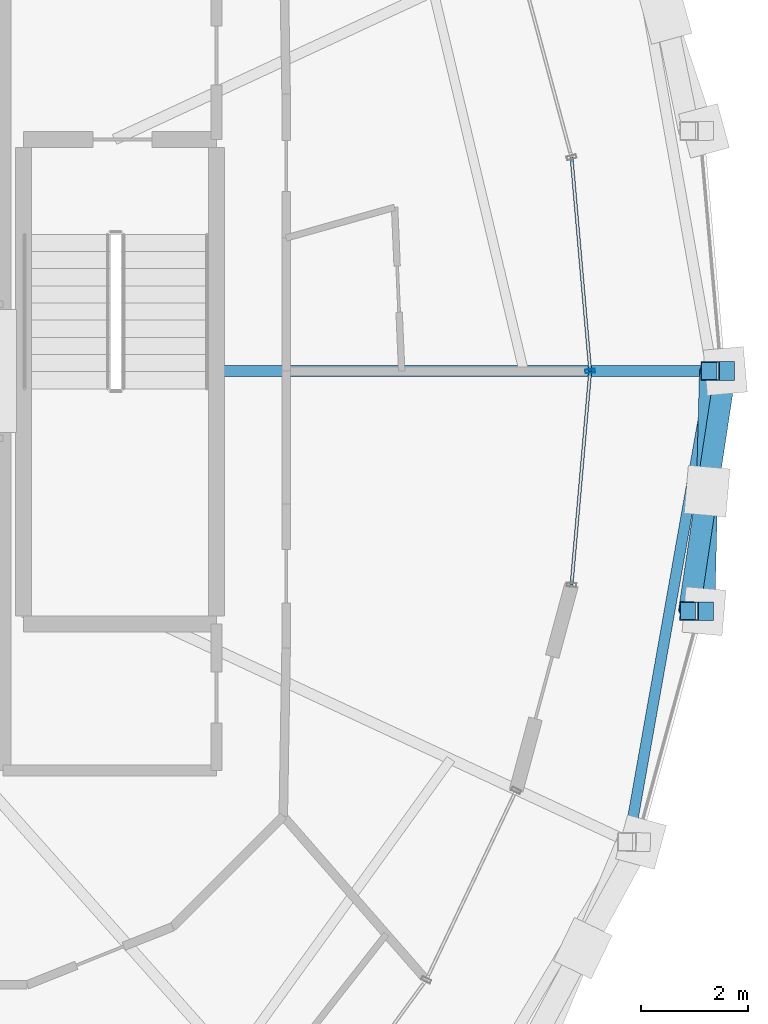
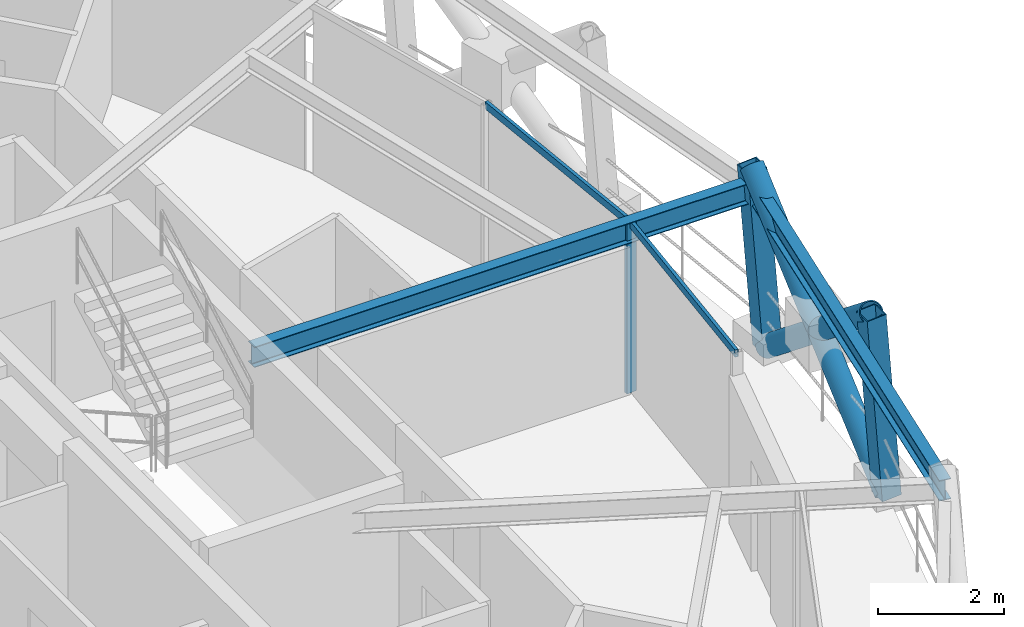
# One storey, part 5 of 16: 8 members, 2 beams, 1 element without a shape of its own.
"""IFC4 building model written with IfcOpenShell, lengths in metres."""

from ifc_helpers import new_model, si_unit, direction, frame, origin, origin_2d, place, context, subcontext, project, spatial, hollow_rectangle, hollow_circle, i_section, extrude, material, layer, layer_set, material_profile, profile_set, type_object, element, aggregate, save


model = new_model("IFC4")

# Units and contexts
model_context = context("Model", 3, precision=1e-05, world=origin(), true_north=direction((0.0, 1.0)))
body_context = subcontext(model_context, "Body", "Model", "MODEL_VIEW")
ifc_project = project(units=[si_unit("LENGTHUNIT", "METRE"), si_unit("AREAUNIT", "SQUARE_METRE"), si_unit("VOLUMEUNIT", "CUBIC_METRE"), si_unit("PLANEANGLEUNIT", "RADIAN"), si_unit("MASSUNIT", "GRAM", prefix="KILO")], contexts=[model_context])

# Site, building, storey
site_placement = place(None, origin())
site = spatial("IfcSite", under=ifc_project, at=site_placement, CompositionType="ELEMENT")
building_placement = place(site_placement, origin())
building = spatial("IfcBuilding", under=site, at=building_placement, Name="Veldorina Hangang Commons", CompositionType="ELEMENT")
storey_placement = place(building_placement, frame((0.0, 0.0, 279.60009765625)))
storey = spatial("IfcBuildingStorey", under=building, at=storey_placement, Name="L73", CompositionType="ELEMENT", Elevation=279.60009765625)

# Beams
ifc_material_1 = material(Name="Steel SM355-TMC", Category="steel")
ifc_material_profile_1 = material_profile(ifc_material_1, i_section(OverallWidth=0.199951171875, OverallDepth=0.39990234375, WebThickness=0.008056640625, FlangeThickness=0.012939453125, FilletRadius=0.012939453125, at=origin_2d()), Name="H-400x200x8x13")
ifc_profile_set_1 = profile_set([ifc_material_profile_1], Name="Steel SM355-TMC")
beam_type_1 = type_object("IfcBeamType", Name="BM-FG400", PredefinedType="BEAM", material=ifc_profile_set_1)
beam_1_placement = place(storey_placement, frame((43.179931640625, 24.0, 3.159912109375), z_axis=(1.0, 0.0, 0.0), x_axis=(0.0, 1.0, 0.0)))
element("IfcBeam", 1, at=beam_1_placement, inside=storey, type_object=beam_type_1, Name="L73 radial floor girder 01", PredefinedType="BEAM", context=body_context, shape_type="SweptSolid", body=[
    extrude(i_section(OverallWidth=0.199951171875, OverallDepth=0.39990234375, WebThickness=0.008056640625, FlangeThickness=0.012939453125, FilletRadius=0.012939453125, at=origin_2d()), origin(), (0.0, 0.0, 1.0), 9.244384765625),
])
ifc_material_profile_2 = material_profile(ifc_material_1, i_section(OverallWidth=0.199951171875, OverallDepth=0.39990234375, WebThickness=0.008056640625, FlangeThickness=0.012939453125, FilletRadius=0.012939453125, at=origin_2d()), Name="H-400x200x8x13")
ifc_profile_set_2 = profile_set([ifc_material_profile_2], Name="Steel SM355-TMC")
beam_type_2 = type_object("IfcBeamType", Name="BM-RB400", PredefinedType="BEAM", material=ifc_profile_set_2)
beam_2_placement = place(storey_placement, frame((50.86962890625, 15.21728515625, 3.159912109375), z_axis=(0.174306853031, 0.984691383626, 0.0), x_axis=(-0.984691383626, 0.174306853031, 0.0)))
element("IfcBeam", 2, at=beam_2_placement, inside=storey, type_object=beam_type_2, Name="L73 perimeter hoop ring beam 30", PredefinedType="BEAM", context=body_context, shape_type="SweptSolid", body=[
    extrude(i_section(OverallWidth=0.199951171875, OverallDepth=0.39990234375, WebThickness=0.008056640625, FlangeThickness=0.012939453125, FilletRadius=0.012939453125, at=origin_2d()), origin(), (0.0, 0.0, 1.0), 8.919189453125),
])

# Curtain wall, members
ifc_material_2 = material(Name="Glass Low-E Selective", Category="glass")
ifc_layer = layer(ifc_material_2, 0.179931640625)
ifc_layer_set = layer_set([ifc_layer], Name="Glass Low-E Selective")
curtain_wall_type = type_object("IfcCurtainWallType", Name="CW-SYS-Z3", PredefinedType="NOTDEFINED", material=ifc_layer_set)
curtain_wall_placement = place(storey_placement, origin())
curtain_wall = element("IfcCurtainWall", 3, at=curtain_wall_placement, inside=storey, type_object=curtain_wall_type, Name="L73 unitised curtain wall CW-L73-R2", PredefinedType="NOTDEFINED")
ifc_material_3 = material(Name="Aluminium Anodized AA6063-T6", Category="aluminium")
ifc_material_profile_3 = material_profile(ifc_material_3, hollow_rectangle(XDim=0.070068359375, YDim=0.179931640625, WallThickness=0.00390625, at=origin_2d()), Name="ALU-RHS-180x70x4")
ifc_profile_set_3 = profile_set([ifc_material_profile_3], Name="Aluminium Anodized AA6063-T6")
member_type_1 = type_object("IfcMemberType", Name="CW-MUL-180", PredefinedType="MULLION", material=ifc_profile_set_3)
member_1_placement = place(storey_placement, frame((50.152587890625, 24.0, 0.0), z_axis=(0.0, 0.0, 1.0), x_axis=(-0.087138355857, 0.996196219095, 0.0)))
member_1 = element("IfcMember", 4, at=member_1_placement, type_object=member_type_1, Name="CW-L73-R2 vertical mullion 2", PredefinedType="MULLION", context=body_context, shape_type="SweptSolid", body=[
    extrude(hollow_rectangle(XDim=0.070068359375, YDim=0.179931640625, WallThickness=0.00390625, at=origin_2d()), origin(), (0.0, 0.0, 1.0), 3.31982421875),
])
ifc_material_profile_4 = material_profile(ifc_material_3, hollow_rectangle(XDim=0.06005859375, YDim=0.139892578125, WallThickness=0.00341796875, at=origin_2d()), Name="ALU-RHS-140x60x3.5")
ifc_profile_set_4 = profile_set([ifc_material_profile_4], Name="Aluminium Anodized AA6063-T6")
member_type_2 = type_object("IfcMemberType", Name="CW-TRN-140", PredefinedType="USERDEFINED", material=ifc_profile_set_4)
member_2_placement = place(storey_placement, frame((49.803955078125, 20.01220703125, 3.27978515625), z_axis=(0.087092805741, 0.996200202363, 0.0), x_axis=(-0.996200202363, 0.087092805741, 0.0)))
member_2 = element("IfcMember", 5, at=member_2_placement, type_object=member_type_2, Name="CW-L73-R2 facet 1 transom 1", ObjectType="TRANSOM", PredefinedType="USERDEFINED", context=body_context, shape_type="SweptSolid", body=[
    extrude(hollow_rectangle(XDim=0.06005859375, YDim=0.139892578125, WallThickness=0.00341796875, at=origin_2d()), origin(), (0.0, 0.0, 1.0), 4.0029296875),
])
member_3_placement = place(storey_placement, frame((50.152587890625, 24.0, 3.27978515625), z_axis=(-0.087092805741, 0.996200202363, 0.0), x_axis=(-0.996200202363, -0.087092805741, 0.0)))
member_3 = element("IfcMember", 6, at=member_3_placement, type_object=member_type_2, Name="CW-L73-R2 facet 2 transom 1", ObjectType="TRANSOM", PredefinedType="USERDEFINED", context=body_context, shape_type="SweptSolid", body=[
    extrude(hollow_rectangle(XDim=0.06005859375, YDim=0.139892578125, WallThickness=0.00341796875, at=origin_2d()), origin(), (0.0, 0.0, 1.0), 4.0029296875),
])
aggregate(curtain_wall, [member_1, member_2, member_3])

# Members
ifc_material_profile_5 = material_profile(ifc_material_1, hollow_circle(Radius=0.199951171875, WallThickness=0.02001953125, at=origin_2d()), Name="CHS-400x20")
ifc_profile_set_5 = profile_set([ifc_material_profile_5], Name="Steel SM355-TMC")
member_type_3 = type_object("IfcMemberType", Name="DG-CHS400", PredefinedType="BRACE", material=ifc_profile_set_5)
member_4_placement = place(storey_placement, frame((52.275390625, 19.5205078125, 0.0), z_axis=(0.019878335385, 0.779332687278, 0.626294989858), x_axis=(-0.999674858506, 0.025498573893, 0.0)))
element("IfcMember", 7, at=member_4_placement, inside=storey, type_object=member_type_3, Name="L73 continuous perimeter diagrid brace 31", PredefinedType="BRACE", context=body_context, shape_type="SweptSolid", body=[
    extrude(hollow_circle(Radius=0.199951171875, WallThickness=0.02001953125, at=origin_2d()), origin(), (0.0, 0.0, 1.0), 5.747802734375),
])
member_5_placement = place(storey_placement, frame((52.672607421875, 24.0, 0.0), z_axis=(-0.117546123521, -0.773880472947, 0.622327825536), x_axis=(0.988660277735, -0.150169421752, 0.0)))
element("IfcMember", 8, at=member_5_placement, inside=storey, type_object=member_type_3, Name="L73 split perimeter diagrid lower brace 00", PredefinedType="BRACE", context=body_context, shape_type="SweptSolid", body=[
    extrude(hollow_circle(Radius=0.199951171875, WallThickness=0.02001953125, at=origin_2d()), origin(), (0.0, 0.0, 1.0), 2.893310546875),
])
member_6_placement = place(storey_placement, frame((52.33251953125, 21.760986328125, 1.800537109375), z_axis=(-0.11577540847, -0.774116097336, 0.622366710741), x_axis=(0.98900035968, -0.1479131115, 0.0)))
element("IfcMember", 9, at=member_6_placement, inside=storey, type_object=member_type_3, Name="L73 split perimeter diagrid upper brace 00", PredefinedType="BRACE", context=body_context, shape_type="SweptSolid", body=[
    extrude(hollow_circle(Radius=0.199951171875, WallThickness=0.02001953125, at=origin_2d()), origin(), (0.0, 0.0, 1.0), 2.89111328125),
])
ifc_material_profile_6 = material_profile(ifc_material_1, hollow_rectangle(XDim=0.35009765625, YDim=0.35009765625, WallThickness=0.01611328125, at=origin_2d()), Name="SHS-350x350x16")
ifc_profile_set_6 = profile_set([ifc_material_profile_6], Name="Steel SM355-TMC")
member_type_4 = type_object("IfcMemberType", Name="STR-SHS350", PredefinedType="STRUT", material=ifc_profile_set_6)
member_7_placement = place(storey_placement, frame((52.672607421875, 24.0, 0.0), z_axis=(-0.078361214814, 0.0, 0.996925032293), x_axis=(0.0, -1.0, 0.0)))
element("IfcMember", 10, at=member_7_placement, inside=storey, type_object=member_type_4, Name="L73 perimeter ring node post 00", PredefinedType="STRUT", context=body_context, shape_type="SweptSolid", body=[
    extrude(hollow_rectangle(XDim=0.35009765625, YDim=0.35009765625, WallThickness=0.01611328125, at=origin_2d()), origin(), (0.0, 0.0, 1.0), 3.61083984375),
])
member_8_placement = place(storey_placement, frame((52.275390625, 19.5205078125, 0.0), z_axis=(-0.076882630726, 0.000676188485, 0.997039920897), x_axis=(-0.008794734614, -0.999961325574, 0.0)))
element("IfcMember", 11, at=member_8_placement, inside=storey, type_object=member_type_4, Name="L73 perimeter ring node post 31", PredefinedType="STRUT", context=body_context, shape_type="SweptSolid", body=[
    extrude(hollow_rectangle(XDim=0.35009765625, YDim=0.35009765625, WallThickness=0.01611328125, at=origin_2d()), origin(), (0.0, 0.0, 1.0), 3.610595703125),
])

save(model, "model.ifc")
